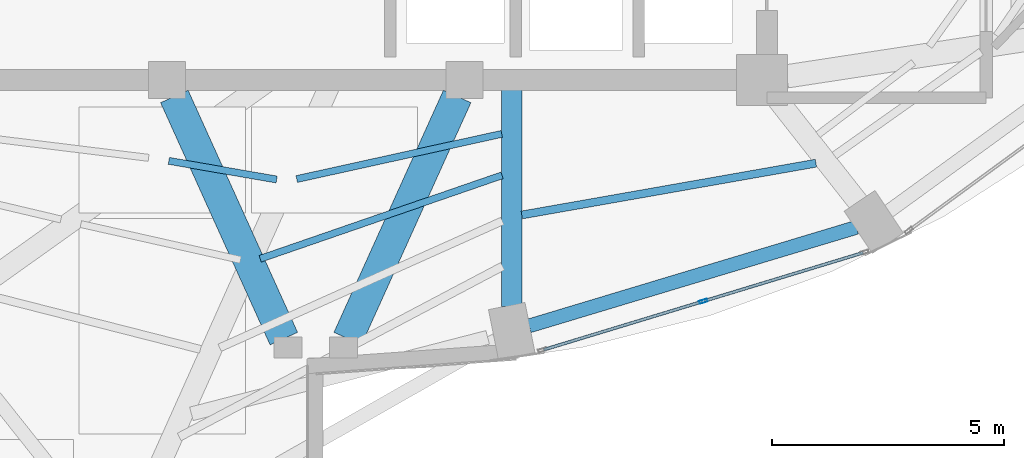
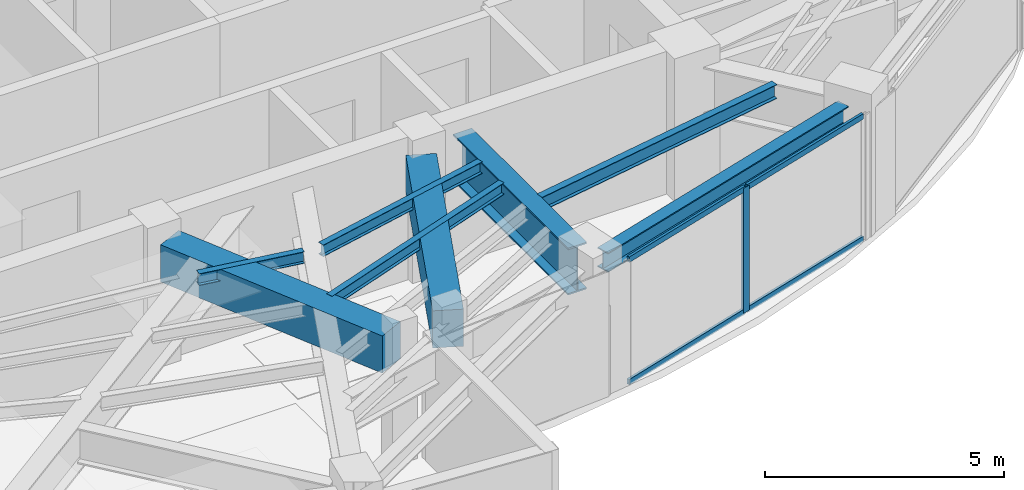
# One storey, part 7 of 23: 8 beams, 5 members, 1 element without a shape of its own.
"""IFC4 building model written with IfcOpenShell, lengths in metres."""

import ifcopenshell
import ifcopenshell.guid

model = None  # the IFC model being written
_history = None  # IfcOwnerHistory: only IFC2X3 demands one
_inside = {}  # id of a spatial element -> (the spatial element, [elements in it])
_under = {}  # id of a project, library or spatial element -> (it, [spatial elements below it])
_declared = {}  # id of a project -> (the project, [libraries it declares])
_typed = {}  # id of a type object -> (the type object, [elements of that type])
_made_of = {}  # id of a material, layer set ... -> (it, [elements and type objects made of it])


def new_model(schema):
    """Start an empty IFC model of exactly this schema.

    Asked for "IFC4X3", IfcOpenShell would pick the latest addendum, in which some entities
    have other attributes; the version numbers below select the first issue.
    IFC2X3 requires an IfcOwnerHistory on every rooted entity: one is made here for all.
    """
    global model, _history
    if schema == "IFC4X3":
        model = ifcopenshell.file(schema_version=(4, 3, 0, 0))
    else:
        model = ifcopenshell.file(schema=schema)
    _inside.clear()
    _under.clear()
    _declared.clear()
    _typed.clear()
    _made_of.clear()
    _history = None
    if model.schema == "IFC2X3":
        org = make("IfcOrganization", Name="unknown")
        user = make(
            "IfcPersonAndOrganization",
            ThePerson=make("IfcPerson", FamilyName="unknown"),
            TheOrganization=org,
        )
        app = make(
            "IfcApplication",
            ApplicationDeveloper=org,
            Version="unknown",
            ApplicationFullName="unknown",
            ApplicationIdentifier="unknown",
        )
        _history = make(
            "IfcOwnerHistory",
            OwningUser=user,
            OwningApplication=app,
            ChangeAction="ADDED",
            CreationDate=0,
        )
    return model


def make(cls, **values):
    """One entity of the class cls with the attributes given. An attribute that is None is left unset."""
    return model.create_entity(
        cls, **{name: value for name, value in values.items() if value is not None}
    )


def rooted(cls, **values):
    """An entity with a GlobalId (a new one), such as an element, a storey or a relation."""
    return make(cls, GlobalId=ifcopenshell.guid.new(), OwnerHistory=_history, **values)


def si_unit(unit_type, name, prefix=None):
    """IfcSIUnit, for example si_unit("LENGTHUNIT", "METRE", prefix="MILLI")."""
    return make("IfcSIUnit", UnitType=unit_type, Prefix=prefix, Name=name)


def assignment(units):
    """IfcUnitAssignment: the units of a project."""
    return None if units is None else make("IfcUnitAssignment", Units=units)


def point(xyz):
    """IfcCartesianPoint."""
    return None if xyz is None else make("IfcCartesianPoint", Coordinates=xyz)


def direction(xyz):
    """IfcDirection."""
    return None if xyz is None else make("IfcDirection", DirectionRatios=xyz)


def frame(location, z_axis=None, x_axis=None):
    """IfcAxis2Placement3D, a coordinate frame: its origin and axes. An axis left out is left unset."""
    return make(
        "IfcAxis2Placement3D",
        Location=point(location),
        Axis=direction(z_axis),
        RefDirection=direction(x_axis),
    )


def frame_2d(location, x_axis=None):
    """IfcAxis2Placement2D, a coordinate frame in the plane: its origin and x axis."""
    return make(
        "IfcAxis2Placement2D", Location=point(location), RefDirection=direction(x_axis)
    )


def origin():
    """The frame at (0, 0, 0) with its axes left unset."""
    return frame((0.0, 0.0, 0.0))


def origin_2d():
    """The frame at (0, 0) in the plane with its x axis left unset."""
    return frame_2d((0.0, 0.0))


def place(relative_to, where):
    """IfcLocalPlacement: puts the frame where relative to a parent placement (None: the world)."""
    return make(
        "IfcLocalPlacement", PlacementRelTo=relative_to, RelativePlacement=where
    )


def context(
    kind, dimensions, precision=None, world=None, true_north=None, identifier=None
):
    """IfcGeometricRepresentationContext, for example the 3D "Model" context."""
    return make(
        "IfcGeometricRepresentationContext",
        ContextIdentifier=identifier,
        ContextType=kind,
        CoordinateSpaceDimension=dimensions,
        Precision=precision,
        WorldCoordinateSystem=world,
        TrueNorth=true_north,
    )


def subcontext(parent, identifier, kind, view, scale=None):
    """IfcGeometricRepresentationSubContext, for example "Body" below "Model"."""
    return make(
        "IfcGeometricRepresentationSubContext",
        ContextIdentifier=identifier,
        ContextType=kind,
        ParentContext=parent,
        TargetScale=scale,
        TargetView=view,
    )


def project(units=None, contexts=None):
    """IfcProject with its units and contexts."""
    return rooted(
        "IfcProject",
        Name="project",
        RepresentationContexts=contexts,
        UnitsInContext=assignment(units),
    )


def spatial(cls, under=None, at=None, **own):
    """A site, building, storey or space (cls), placed at a placement, below another one or the project."""
    s = rooted(cls, ObjectPlacement=at, **own)
    if under is not None:
        _under.setdefault(under.id(), (under, []))[1].append(s)
    return s


def profile(cls, at=None, kind="AREA", **sizes):
    """A parametric profile (cls). Its sizes go by their IFC names, for example OverallWidth=200.0."""
    return make(cls, ProfileType=kind, Position=at, **sizes)


def rectangle(**sizes):
    """IfcRectangleProfileDef."""
    return profile("IfcRectangleProfileDef", **sizes)


def hollow_rectangle(**sizes):
    """IfcRectangleHollowProfileDef."""
    return profile("IfcRectangleHollowProfileDef", **sizes)


def i_section(**sizes):
    """IfcIShapeProfileDef."""
    return profile("IfcIShapeProfileDef", **sizes)


def extrude(swept, where, along, depth):
    """IfcExtrudedAreaSolid: the profile swept, set in the frame where, extruded along a direction by depth."""
    return make(
        "IfcExtrudedAreaSolid",
        SweptArea=swept,
        Position=where,
        ExtrudedDirection=direction(along),
        Depth=depth,
    )


def shape(context_of_items, identifier, shape_type, items):
    """IfcShapeRepresentation: the items that make up one representation, for example the "Body"."""
    return make(
        "IfcShapeRepresentation",
        ContextOfItems=context_of_items,
        RepresentationIdentifier=identifier,
        RepresentationType=shape_type,
        Items=items,
    )


def material(Name=None, Category=None):
    """IfcMaterial."""
    return make("IfcMaterial", Name=Name, Category=Category)


def layer(
    of_material, thickness, ventilated=None, Name=None, Category=None, Priority=None
):
    """IfcMaterialLayer: one layer of a wall or slab, of a material (None: an air gap)."""
    return make(
        "IfcMaterialLayer",
        Material=of_material,
        LayerThickness=thickness,
        IsVentilated=ventilated,
        Name=Name,
        Category=Category,
        Priority=Priority,
    )


def layer_set(layers, Name=None):
    """IfcMaterialLayerSet."""
    return make("IfcMaterialLayerSet", MaterialLayers=layers, LayerSetName=Name)


def material_profile(
    of_material, cross_section, Name=None, Category=None, Priority=None
):
    """IfcMaterialProfile: a cross section and its material."""
    return make(
        "IfcMaterialProfile",
        Name=Name,
        Material=of_material,
        Profile=cross_section,
        Priority=Priority,
        Category=Category,
    )


def profile_set(profiles, Name=None, composite=None):
    """IfcMaterialProfileSet."""
    return make(
        "IfcMaterialProfileSet",
        Name=Name,
        MaterialProfiles=profiles,
        CompositeProfile=composite,
    )


def made_of(thing, what):
    """Note that an element or type object is made of a material, layer set ...; save() writes the relation."""
    if what is not None:
        _made_of.setdefault(what.id(), (what, []))[1].append(thing)
    return thing


def type_object(cls, material=None, **own):
    """A type object (cls), such as IfcWallType, which elements share."""
    return made_of(rooted(cls, **own), material)


def element(
    cls,
    number,
    at=None,
    inside=None,
    cuts=None,
    type_object=None,
    material=None,
    context=None,
    identifier="Body",
    shape_type=None,
    held_by="IfcProductDefinitionShape",
    body=None,
    shapes=None,
    **own,
):
    """One element of the class cls, such as IfcWall. Its Tag is "e" and its number.

    at: its placement. inside: the storey or other place that contains it. cuts: it is an
    opening in that element (IfcRelVoidsElement). A single representation is given by context,
    identifier, shape_type and body (its items); several are given by shapes. held_by: the class
    of the entity that holds the representations. save() writes the other relations.
    """
    e = rooted(cls, Tag="e%d" % number, ObjectPlacement=at, **own)
    if body is not None:
        shapes = [shape(context, identifier, shape_type, body)]
    if shapes is not None:
        e.Representation = make(held_by, Representations=shapes)
    if inside is not None:
        _inside.setdefault(inside.id(), (inside, []))[1].append(e)
    if cuts is not None:
        rooted(
            "IfcRelVoidsElement", RelatingBuildingElement=cuts, RelatedOpeningElement=e
        )
    if type_object is not None:
        _typed.setdefault(type_object.id(), (type_object, []))[1].append(e)
    return made_of(e, material)


def aggregate(whole, parts):
    """IfcRelAggregates: a whole, such as a stair, and the parts it consists of."""
    return rooted("IfcRelAggregates", RelatingObject=whole, RelatedObjects=parts)


def save(model, path):
    """Write the relations noted so far, then the file.

    IfcRelAggregates (storeys below a building ...), IfcRelContainedInSpatialStructure (elements
    in a storey), IfcRelDefinesByType, IfcRelAssociatesMaterial and IfcRelDeclares: one each for
    every whole, place, type object, material and project.
    """
    for whole, parts in _under.values():
        aggregate(whole, parts)
    for where, things in _inside.values():
        rooted(
            "IfcRelContainedInSpatialStructure",
            RelatedElements=things,
            RelatingStructure=where,
        )
    for kind, things in _typed.values():
        rooted("IfcRelDefinesByType", RelatedObjects=things, RelatingType=kind)
    for what, things in _made_of.values():
        rooted("IfcRelAssociatesMaterial", RelatedObjects=things, RelatingMaterial=what)
    for by, libraries in _declared.values():
        rooted("IfcRelDeclares", RelatingContext=by, RelatedDefinitions=libraries)
    model.write(path)


model = new_model("IFC4")

# Units and contexts
model_context = context("Model", 3, precision=1e-05, world=origin(), true_north=direction((0.0, 1.0)))
body_context = subcontext(model_context, "Body", "Model", "MODEL_VIEW")
ifc_project = project(units=[si_unit("LENGTHUNIT", "METRE"), si_unit("AREAUNIT", "SQUARE_METRE"), si_unit("VOLUMEUNIT", "CUBIC_METRE"), si_unit("PLANEANGLEUNIT", "RADIAN"), si_unit("MASSUNIT", "GRAM", prefix="KILO")], contexts=[model_context])

# Site, building, storey
site_placement = place(None, origin())
site = spatial("IfcSite", under=ifc_project, at=site_placement, CompositionType="ELEMENT")
building_placement = place(site_placement, origin())
building = spatial("IfcBuilding", under=site, at=building_placement, Name="Lazwardi Medical Tower", CompositionType="ELEMENT")
storey_placement = place(building_placement, frame((0.0, 0.0, 265.968017578125)))
storey = spatial("IfcBuildingStorey", under=building, at=storey_placement, Name="L69", CompositionType="ELEMENT", Elevation=265.968017578125)

# Beams
ifc_material_1 = material(Name="Concrete C60/75", Category="concrete")
ifc_material_profile_1 = material_profile(ifc_material_1, rectangle(XDim=0.64990234375, YDim=0.949951171875, at=origin_2d()), Name="RC 650x950")
ifc_profile_set_1 = profile_set([ifc_material_profile_1], Name="Concrete C60/75")
beam_type_1 = type_object("IfcBeamType", Name="BM-CB-RC2", PredefinedType="LINTEL", material=ifc_profile_set_1)
for number, where, z_axis, x_axis, name in (
    (1, (32.95849609375, 20.04931640625, 2.722900390625), (0.412019279944, -0.911175127489, 0.0), (0.911175127489, 0.412019279944, 0.0), "Core coupling lintel CB-02 PL3 L69"),
    (2, (39.04150390625, 20.04931640625, 2.722900390625), (-0.412019279944, -0.911175127489, 0.0), (0.911175127489, -0.412019279944, 0.0), "Core coupling lintel CB-02 PL4 L69"),
):
    element("IfcBeam", number, at=place(storey_placement, frame(where, z_axis=z_axis, x_axis=x_axis)), inside=storey, type_object=beam_type_1, Name=name, PredefinedType="LINTEL", context=body_context, shape_type="SweptSolid", body=[
        extrude(rectangle(XDim=0.64990234375, YDim=0.949951171875, at=origin_2d()), origin(), (0.0, 0.0, 1.0), 5.7158203125),
    ])
ifc_material_2 = material(Name="Steel S355", Category="steel")
ifc_material_profile_2 = material_profile(ifc_material_2, i_section(OverallWidth=0.300048828125, OverallDepth=0.5, WebThickness=0.014404296875, FlangeThickness=0.028076171875, at=origin_2d()), Name="HEB 500")
ifc_profile_set_2 = profile_set([ifc_material_profile_2], Name="Steel S355")
beam_type_2 = type_object("IfcBeamType", Name="BM-RB-Z4", PredefinedType="BEAM", material=ifc_profile_set_2)
beam_1_placement = place(storey_placement, frame((40.58740234375, 15.114013671875, 2.947998046875), z_axis=(0.957544311906, 0.288286126506, 0.0), x_axis=(-0.288286126506, 0.957544311906, 0.0)))
element("IfcBeam", 3, at=beam_1_placement, inside=storey, type_object=beam_type_2, Name="Ring beam RB-05 B01 L69", PredefinedType="BEAM", context=body_context, shape_type="SweptSolid", body=[
    extrude(i_section(OverallWidth=0.300048828125, OverallDepth=0.5, WebThickness=0.014404296875, FlangeThickness=0.028076171875, at=origin_2d()), origin(), (0.0, 0.0, 1.0), 7.3515625),
])
ifc_material_profile_3 = material_profile(ifc_material_2, i_section(OverallWidth=0.169921875, OverallDepth=0.360107421875, WebThickness=0.008056640625, FlangeThickness=0.0126953125, at=origin_2d()), Name="IPE 360")
ifc_profile_set_3 = profile_set([ifc_material_profile_3], Name="Steel S355")
beam_type_3 = type_object("IfcBeamType", Name="BM-SJ-02", PredefinedType="JOIST", material=ifc_profile_set_3)
beam_2_placement = place(storey_placement, frame((40.4306640625, 17.5, 3.01806640625), z_axis=(0.984861891685, 0.173340861618, 0.0), x_axis=(-0.173340861618, 0.984861891685, 0.0)))
element("IfcBeam", 4, at=beam_2_placement, inside=storey, type_object=beam_type_3, Name="Secondary joist SJ-02 R2 B01 L69", PredefinedType="JOIST", context=body_context, shape_type="SweptSolid", body=[
    extrude(i_section(OverallWidth=0.169921875, OverallDepth=0.360107421875, WebThickness=0.008056640625, FlangeThickness=0.0126953125, at=origin_2d()), origin(), (0.0, 0.0, 1.0), 6.423828125),
])
ifc_material_profile_4 = material_profile(ifc_material_2, i_section(OverallWidth=0.14990234375, OverallDepth=0.300048828125, WebThickness=0.007080078125, FlangeThickness=0.0107421875, at=origin_2d()), Name="IPE 300")
ifc_profile_set_4 = profile_set([ifc_material_profile_4], Name="Steel S355")
beam_type_4 = type_object("IfcBeamType", Name="BM-SJ-03", PredefinedType="JOIST", material=ifc_profile_set_4)
beam_3_placement = place(storey_placement, frame((34.805419921875, 16.557861328125, 3.048095703125), z_axis=(0.945284290226, 0.326247774939, 0.0), x_axis=(-0.326247774939, 0.945284290226, 0.0)))
element("IfcBeam", 5, at=beam_3_placement, inside=storey, type_object=beam_type_4, Name="Secondary joist SJ-03 R3 B16 L69", PredefinedType="JOIST", context=body_context, shape_type="SweptSolid", body=[
    extrude(i_section(OverallWidth=0.14990234375, OverallDepth=0.300048828125, WebThickness=0.007080078125, FlangeThickness=0.0107421875, at=origin_2d()), origin(), (0.0, 0.0, 1.0), 5.501708984375),
])
beam_4_placement = place(storey_placement, frame((32.840087890625, 18.663818359375, 3.048095703125), z_axis=(0.985345476091, -0.170570492018, 0.0), x_axis=(0.170570492018, 0.985345476091, 0.0)))
element("IfcBeam", 6, at=beam_4_placement, inside=storey, type_object=beam_type_4, Name="Secondary joist SJ-03 R4 B15 L69", PredefinedType="JOIST", context=body_context, shape_type="SweptSolid", body=[
    extrude(i_section(OverallWidth=0.14990234375, OverallDepth=0.300048828125, WebThickness=0.007080078125, FlangeThickness=0.0107421875, at=origin_2d()), origin(), (0.0, 0.0, 1.0), 2.35302734375),
])
beam_5_placement = place(storey_placement, frame((35.59033203125, 18.272216796875, 3.048095703125), z_axis=(0.976576104154, 0.215172286308, 0.0), x_axis=(-0.215172286308, 0.976576104154, 0.0)))
element("IfcBeam", 7, at=beam_5_placement, inside=storey, type_object=beam_type_4, Name="Secondary joist SJ-03 R4 B16 L69", PredefinedType="JOIST", context=body_context, shape_type="SweptSolid", body=[
    extrude(i_section(OverallWidth=0.14990234375, OverallDepth=0.300048828125, WebThickness=0.007080078125, FlangeThickness=0.0107421875, at=origin_2d()), origin(), (0.0, 0.0, 1.0), 4.5146484375),
])
ifc_material_3 = material(Name="Steel S460", Category="steel")
ifc_material_profile_5 = material_profile(ifc_material_3, i_section(OverallWidth=0.449951171875, OverallDepth=1.199951171875, WebThickness=0.02490234375, FlangeThickness=0.0400390625, at=origin_2d()), Name="PG 1200x450")
ifc_profile_set_5 = profile_set([ifc_material_profile_5], Name="Steel S460")
beam_type_5 = type_object("IfcBeamType", Name="BM-TG-02", PredefinedType="BEAM", material=ifc_profile_set_5)
beam_6_placement = place(storey_placement, frame((40.214111328125, 15.53662109375, 2.597900390625), z_axis=(0.0, 1.0, 0.0), x_axis=(-1.0, 0.0, 0.0)))
element("IfcBeam", 8, at=beam_6_placement, inside=storey, type_object=beam_type_5, Name="Transfer girder TG-02 M01 L69", PredefinedType="BEAM", context=body_context, shape_type="SweptSolid", body=[
    extrude(i_section(OverallWidth=0.449951171875, OverallDepth=1.199951171875, WebThickness=0.02490234375, FlangeThickness=0.0400390625, at=origin_2d()), origin(), (0.0, 0.0, 1.0), 4.8134765625),
])

# Curtain wall, members
ifc_material_4 = material(Name="Anodised bronze aluminium and solar control glazing", Category="aluminium")
ifc_layer = layer(ifc_material_4, 0.18994140625)
ifc_layer_set = layer_set([ifc_layer], Name="Anodised bronze aluminium and solar control glazing")
curtain_wall_type = type_object("IfcCurtainWallType", Name="CW-SYS-04", PredefinedType="NOTDEFINED", material=ifc_layer_set)
curtain_wall_placement = place(storey_placement, origin())
curtain_wall = element("IfcCurtainWall", 9, at=curtain_wall_placement, inside=storey, type_object=curtain_wall_type, Name="L69 Unitised bronze curtain wall CW-04", PredefinedType="NOTDEFINED")
ifc_material_5 = material(Name="Anodised bronze aluminium", Category="aluminium")
ifc_material_profile_6 = material_profile(ifc_material_5, hollow_rectangle(XDim=0.06494140625, YDim=0.179931640625, WallThickness=0.00390625, at=origin_2d()), Name="ALU-MULLION 180x65x4")
ifc_profile_set_6 = profile_set([ifc_material_profile_6], Name="Anodised bronze aluminium")
member_type_1 = type_object("IfcMemberType", Name="CW-MUL-03", PredefinedType="MULLION", material=ifc_profile_set_6)
member_1_placement = place(storey_placement, frame((44.33642578125, 15.644775390625, 0.0), z_axis=(0.0, 0.0, 1.0), x_axis=(-0.290581889515, 0.956850126972, 0.0)))
member_1 = element("IfcMember", 10, at=member_1_placement, type_object=member_type_1, Name="CW-04 mullion 2", PredefinedType="MULLION", context=body_context, shape_type="SweptSolid", body=[
    extrude(hollow_rectangle(XDim=0.06494140625, YDim=0.179931640625, WallThickness=0.00390625, at=origin_2d()), origin(), (0.0, 0.0, 1.0), 3.197998046875),
])
ifc_material_profile_7 = material_profile(ifc_material_5, hollow_rectangle(XDim=0.06494140625, YDim=0.139892578125, WallThickness=0.00341796875, at=origin_2d()), Name="ALU-TRANSOM 140x65x3.5")
ifc_profile_set_7 = profile_set([ifc_material_profile_7], Name="Anodised bronze aluminium")
member_type_2 = type_object("IfcMemberType", Name="CW-TRN-03", PredefinedType="USERDEFINED", material=ifc_profile_set_7)
member_2_placement = place(storey_placement, frame((40.904296875, 14.602294921875, 0.032470703125), z_axis=(0.956843409009, 0.290604010015, 0.0), x_axis=(-0.290604010015, 0.956843409009, 0.0)))
member_2 = element("IfcMember", 11, at=member_2_placement, type_object=member_type_2, Name="CW-04 transom 1.1", ObjectType="TRANSOM", PredefinedType="USERDEFINED", context=body_context, shape_type="SweptSolid", body=[
    extrude(hollow_rectangle(XDim=0.06494140625, YDim=0.139892578125, WallThickness=0.00341796875, at=origin_2d()), origin(), (0.0, 0.0, 1.0), 3.554443359375),
])
member_3_placement = place(storey_placement, frame((40.904296875, 14.602294921875, 3.16552734375), z_axis=(0.956843409009, 0.290604010015, 0.0), x_axis=(-0.290604010015, 0.956843409009, 0.0)))
member_3 = element("IfcMember", 12, at=member_3_placement, type_object=member_type_2, Name="CW-04 transom 1.2", ObjectType="TRANSOM", PredefinedType="USERDEFINED", context=body_context, shape_type="SweptSolid", body=[
    extrude(hollow_rectangle(XDim=0.06494140625, YDim=0.139892578125, WallThickness=0.00341796875, at=origin_2d()), origin(), (0.0, 0.0, 1.0), 3.554443359375),
])
member_4_placement = place(storey_placement, frame((44.367431640625, 15.654052734375, 0.032470703125), z_axis=(0.956843409009, 0.290604010015, 0.0), x_axis=(-0.290604010015, 0.956843409009, 0.0)))
member_4 = element("IfcMember", 13, at=member_4_placement, type_object=member_type_2, Name="CW-04 transom 2.1", ObjectType="TRANSOM", PredefinedType="USERDEFINED", context=body_context, shape_type="SweptSolid", body=[
    extrude(hollow_rectangle(XDim=0.06494140625, YDim=0.139892578125, WallThickness=0.00341796875, at=origin_2d()), origin(), (0.0, 0.0, 1.0), 3.554443359375),
])
member_5_placement = place(storey_placement, frame((44.367431640625, 15.654052734375, 3.16552734375), z_axis=(0.956843409009, 0.290604010015, 0.0), x_axis=(-0.290604010015, 0.956843409009, 0.0)))
member_5 = element("IfcMember", 14, at=member_5_placement, type_object=member_type_2, Name="CW-04 transom 2.2", ObjectType="TRANSOM", PredefinedType="USERDEFINED", context=body_context, shape_type="SweptSolid", body=[
    extrude(hollow_rectangle(XDim=0.06494140625, YDim=0.139892578125, WallThickness=0.00341796875, at=origin_2d()), origin(), (0.0, 0.0, 1.0), 3.554443359375),
])
aggregate(curtain_wall, [member_1, member_2, member_3, member_4, member_5])

save(model, "model.ifc")
